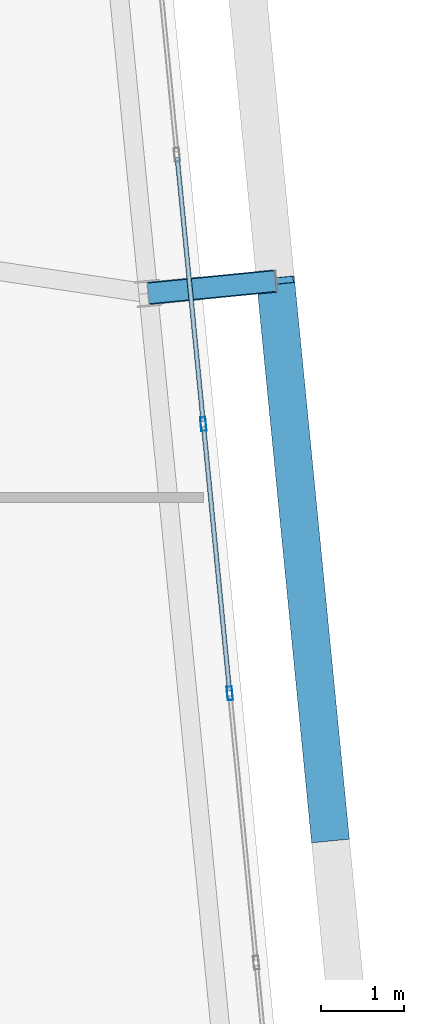
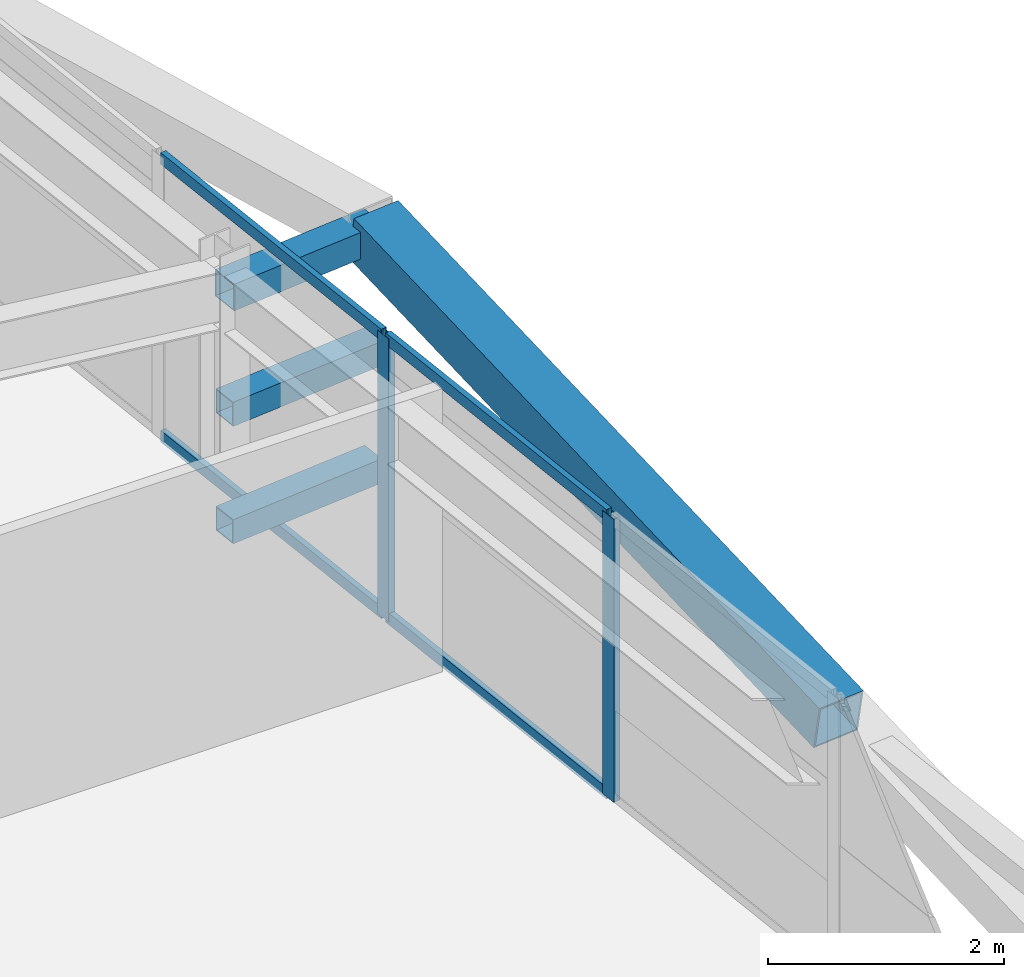
# One storey, part 24 of 54: 10 members, 1 element without a shape of its own.
"""IFC4 building model written with IfcOpenShell, lengths in metres."""

from ifc_helpers import new_model, si_unit, direction, frame, origin, origin_2d, place, context, subcontext, project, spatial, hollow_rectangle, extrude, source, transform, mapped, material, layer, layer_set, material_profile, profile_set, type_object, element, aggregate, save


model = new_model("IFC4")

# Units and contexts
model_context = context("Model", 3, precision=1e-05, world=origin(), true_north=direction((0.0, 1.0)))
body_context = subcontext(model_context, "Body", "Model", "MODEL_VIEW")
ifc_project = project(units=[si_unit("LENGTHUNIT", "METRE"), si_unit("AREAUNIT", "SQUARE_METRE"), si_unit("VOLUMEUNIT", "CUBIC_METRE"), si_unit("PLANEANGLEUNIT", "RADIAN"), si_unit("MASSUNIT", "GRAM", prefix="KILO")], contexts=[model_context])

# Site, building, storey
site_placement = place(None, origin())
site = spatial("IfcSite", under=ifc_project, at=site_placement, CompositionType="ELEMENT")
building_placement = place(site_placement, origin())
building = spatial("IfcBuilding", under=site, at=building_placement, Name="Taldren Reach Tower", CompositionType="ELEMENT")
storey_placement = place(building_placement, frame((0.0, 0.0, 99.75)))
storey = spatial("IfcBuildingStorey", under=building, at=storey_placement, Name="L30", CompositionType="ELEMENT", Elevation=99.75)

# Members
ifc_material_1 = material(Name="Steel Gr 450 (C450L0)", Category="steel")
ifc_material_profile_1 = material_profile(ifc_material_1, hollow_rectangle(XDim=0.27490234375, YDim=0.27490234375, WallThickness=0.00927734375, at=origin_2d()), Name="275x275x9.3SHS")
ifc_profile_set_1 = profile_set([ifc_material_profile_1], Name="Steel Gr 450 (C450L0)")
member_type_1 = type_object("IfcMemberType", Name="MB-TIE273", PredefinedType="STRUT", material=ifc_profile_set_1)
shared_shape_1 = source(origin(), body_context, "Body", "SweptSolid", [
    extrude(hollow_rectangle(XDim=0.27490234375, YDim=0.27490234375, WallThickness=0.00927734375, at=origin_2d()), origin(), (0.0, 0.0, 1.0), 1.5498046875),
])
member_1_placement = place(storey_placement, frame((64.569580078125, 21.968994140625, 2.64990234375), z_axis=(0.995234821595, 0.097507178627, 0.0), x_axis=(-0.097507178627, 0.995234821595, 0.0)))
element("IfcMember", 1, at=member_1_placement, inside=storey, type_object=member_type_1, Name="Exoskeleton diaphragm tie strut B2-E2 L30", PredefinedType="STRUT", context=body_context, shape_type="MappedRepresentation", body=[
    mapped(shared_shape_1, transform((0.0, 0.0, 0.0), scale=1.0)),
])
ifc_material_2 = material(Name="Steel Gr 350 (C350L0)", Category="steel")
ifc_material_profile_2 = material_profile(ifc_material_2, hollow_rectangle(XDim=0.25, YDim=0.25, WallThickness=0.010009765625, at=origin_2d()), Name="250x250x10.0SHS")
ifc_profile_set_2 = profile_set([ifc_material_profile_2], Name="Steel Gr 350 (C350L0)")
member_type_2 = type_object("IfcMemberType", Name="MB-POST250", PredefinedType="POST", material=ifc_profile_set_2)
shared_shape_2 = source(origin(), body_context, "Body", "SweptSolid", [
    extrude(hollow_rectangle(XDim=0.25, YDim=0.25, WallThickness=0.010009765625, at=origin_2d()), origin(), (0.0, 0.0, 1.0), 1.5498046875),
])
for number, where, z_axis, x_axis, name in (
    (2, (64.569580078125, 21.968994140625, 0.219970703125), (0.995234821595, 0.097507178627, 0.0), (-0.097507178627, 0.995234821595, 0.0), "Exoskeleton base diaphragm tie strut B2-E2 L30"),
    (3, (64.569580078125, 21.968994140625, 1.43505859375), (0.995234821595, 0.097507178627, 0.0), (-0.097507178627, 0.995234821595, 0.0), "Exoskeleton mid-tier diaphragm tie B2-E2 L30"),
):
    element("IfcMember", number, at=place(storey_placement, frame(where, z_axis=z_axis, x_axis=x_axis)), inside=storey, type_object=member_type_2, Name=name, PredefinedType="POST", context=body_context, shape_type="MappedRepresentation", body=[
        mapped(shared_shape_2, transform((0.0, 0.0, 0.0), scale=1.0)),
    ])
ifc_material_profile_3 = material_profile(ifc_material_1, hollow_rectangle(XDim=0.4599609375, YDim=0.4599609375, WallThickness=0.01611328125, at=origin_2d()), Name="460x460x16.0SHS")
ifc_profile_set_3 = profile_set([ifc_material_profile_3], Name="Steel Gr 450 (C450L0)")
member_type_3 = type_object("IfcMemberType", Name="MB-EXO457", PredefinedType="BRACE", material=ifc_profile_set_3)
shared_shape_3 = source(origin(), body_context, "Body", "SweptSolid", [
    extrude(hollow_rectangle(XDim=0.4599609375, YDim=0.4599609375, WallThickness=0.01611328125, at=origin_2d()), origin(), (0.0, 0.0, 1.0), 6.883056640625),
])
member_2_placement = place(storey_placement, frame((66.773193359375, 15.37744140625, 1.43505859375), z_axis=(-0.096052059581, 0.979603316657, 0.176497432967), x_axis=(-0.995227290009, -0.097584021339, 0.0)))
element("IfcMember", 4, at=member_2_placement, inside=storey, type_object=member_type_3, Name="Exoskeleton Diagrid Brace B2-E1 L30", PredefinedType="BRACE", context=body_context, shape_type="MappedRepresentation", body=[
    mapped(shared_shape_3, transform((0.0, 0.0, 0.0), scale=1.0)),
])

# Curtain wall, members
ifc_material_3 = material(Name="Aluminium and Low-E Glass Unitised System", Category="aluminium")
ifc_layer = layer(ifc_material_3, 0.159912109375)
ifc_layer_set = layer_set([ifc_layer], Name="Aluminium and Low-E Glass Unitised System")
curtain_wall_type = type_object("IfcCurtainWallType", Name="CW-SYS-3", PredefinedType="NOTDEFINED", material=ifc_layer_set)
curtain_wall_placement = place(storey_placement, origin())
curtain_wall = element("IfcCurtainWall", 5, at=curtain_wall_placement, inside=storey, type_object=curtain_wall_type, Name="Unitised curtain wall CW-L30-E", PredefinedType="NOTDEFINED")
ifc_material_4 = material(Name="Anodised Aluminium 6063-T6", Category="aluminium")
ifc_material_profile_4 = material_profile(ifc_material_4, hollow_rectangle(XDim=0.06494140625, YDim=0.1650390625, WallThickness=0.00390625, at=origin_2d()), Name="ALU-165x65x4RHS")
ifc_profile_set_4 = profile_set([ifc_material_profile_4], Name="Anodised Aluminium 6063-T6")
member_type_4 = type_object("IfcMemberType", Name="CW-MUL-165", PredefinedType="MULLION", material=ifc_profile_set_4)
shared_shape_4 = source(origin(), body_context, "Body", "SweptSolid", [
    extrude(hollow_rectangle(XDim=0.06494140625, YDim=0.1650390625, WallThickness=0.00390625, at=origin_2d()), origin(), (0.0, 0.0, 1.0), 2.929931640625),
])
member_3_placement = place(storey_placement, frame((65.556884765625, 17.12548828125, 0.0), z_axis=(0.0, 0.0, 1.0), x_axis=(-0.99522741555, -0.09758274098, 0.0)))
member_3 = element("IfcMember", 6, at=member_3_placement, type_object=member_type_4, Name="CW-3 mullion 4", PredefinedType="MULLION", context=body_context, shape_type="MappedRepresentation", body=[
    mapped(shared_shape_4, transform((0.0, 0.0, 0.0), scale=1.0)),
])
member_4_placement = place(storey_placement, frame((65.237060546875, 20.3876953125, 0.0), z_axis=(0.0, 0.0, 1.0), x_axis=(-0.99522741555, -0.09758274098, 0.0)))
member_4 = element("IfcMember", 7, at=member_4_placement, type_object=member_type_4, Name="CW-3 mullion 5", PredefinedType="MULLION", context=body_context, shape_type="MappedRepresentation", body=[
    mapped(shared_shape_4, transform((0.0, 0.0, 0.0), scale=1.0)),
])
ifc_material_profile_5 = material_profile(ifc_material_4, hollow_rectangle(XDim=0.054931640625, YDim=0.1201171875, WallThickness=0.0029296875, at=origin_2d()), Name="ALU-120x55x3RHS")
ifc_profile_set_5 = profile_set([ifc_material_profile_5], Name="Anodised Aluminium 6063-T6")
member_type_5 = type_object("IfcMemberType", Name="CW-TRN-135", PredefinedType="USERDEFINED", material=ifc_profile_set_5)
shared_shape_5 = source(origin(), body_context, "Body", "SweptSolid", [
    extrude(hollow_rectangle(XDim=0.054931640625, YDim=0.1201171875, WallThickness=0.0029296875, at=origin_2d()), origin(), (0.0, 0.0, 1.0), 3.212890625),
])
member_5_placement = place(storey_placement, frame((65.5537109375, 17.15771484375, 0.027587890625), z_axis=(-0.097569948235, 0.995228669805, 0.0), x_axis=(-0.995228669805, -0.097569948235, 0.0)))
member_5 = element("IfcMember", 8, at=member_5_placement, type_object=member_type_5, Name="CW-3 transom 4.1", ObjectType="TRANSOM", PredefinedType="USERDEFINED", context=body_context, shape_type="MappedRepresentation", body=[
    mapped(shared_shape_5, transform((0.0, 0.0, 0.0), scale=1.0)),
])
member_6_placement = place(storey_placement, frame((65.5537109375, 17.15771484375, 2.902587890625), z_axis=(-0.097569948235, 0.995228669805, 0.0), x_axis=(-0.995228669805, -0.097569948235, 0.0)))
member_6 = element("IfcMember", 9, at=member_6_placement, type_object=member_type_5, Name="CW-3 transom 4.2", ObjectType="TRANSOM", PredefinedType="USERDEFINED", context=body_context, shape_type="MappedRepresentation", body=[
    mapped(shared_shape_5, transform((0.0, 0.0, 0.0), scale=1.0)),
])
member_7_placement = place(storey_placement, frame((65.23388671875, 20.419921875, 0.027587890625), z_axis=(-0.097645213046, 0.995221288141, 0.0), x_axis=(-0.995221288141, -0.097645213046, 0.0)))
member_7 = element("IfcMember", 10, at=member_7_placement, type_object=member_type_5, Name="CW-3 transom 5.1", ObjectType="TRANSOM", PredefinedType="USERDEFINED", context=body_context, shape_type="MappedRepresentation", body=[
    mapped(shared_shape_5, transform((0.0, 0.0, 0.0), scale=1.0)),
])
member_8_placement = place(storey_placement, frame((65.23388671875, 20.419921875, 2.902587890625), z_axis=(-0.097645213046, 0.995221288141, 0.0), x_axis=(-0.995221288141, -0.097645213046, 0.0)))
member_8 = element("IfcMember", 11, at=member_8_placement, type_object=member_type_5, Name="CW-3 transom 5.2", ObjectType="TRANSOM", PredefinedType="USERDEFINED", context=body_context, shape_type="MappedRepresentation", body=[
    mapped(shared_shape_5, transform((0.0, 0.0, 0.0), scale=1.0)),
])
aggregate(curtain_wall, [member_3, member_4, member_5, member_6, member_7, member_8])

save(model, "model.ifc")
